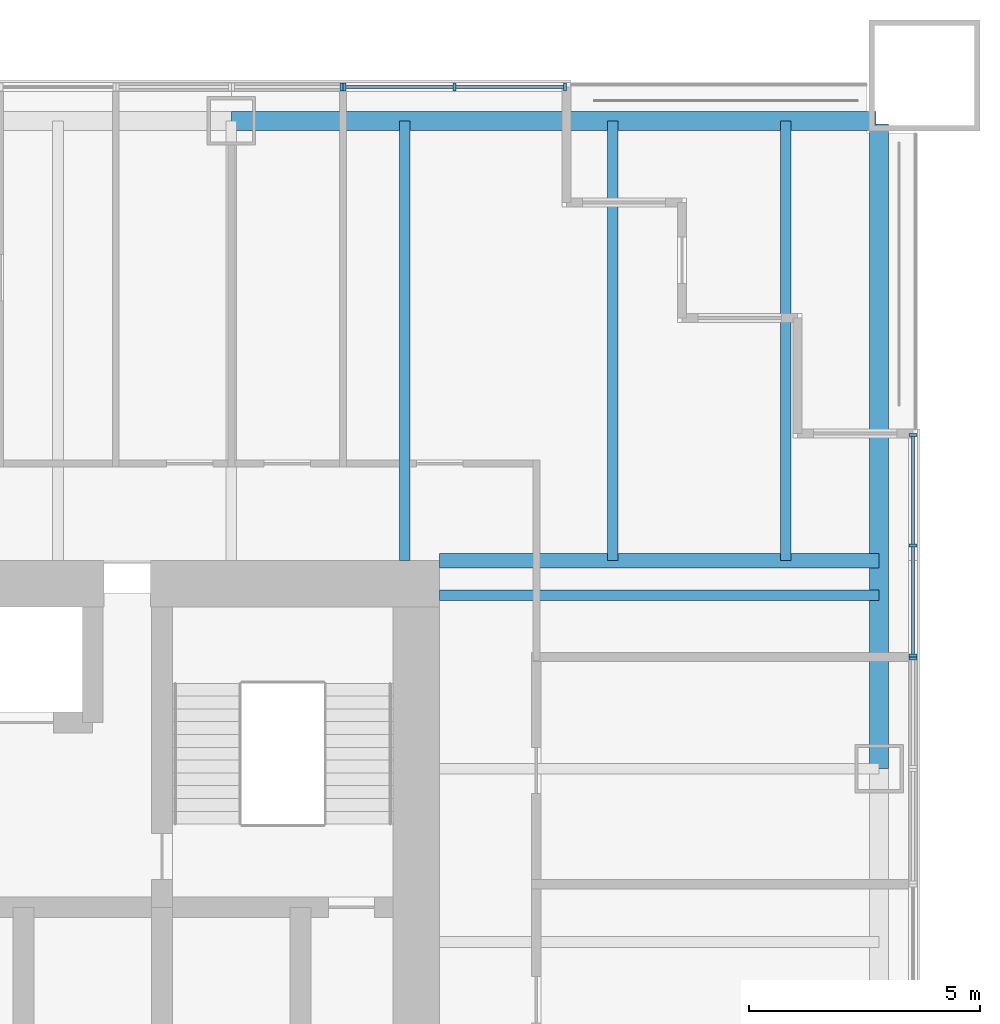
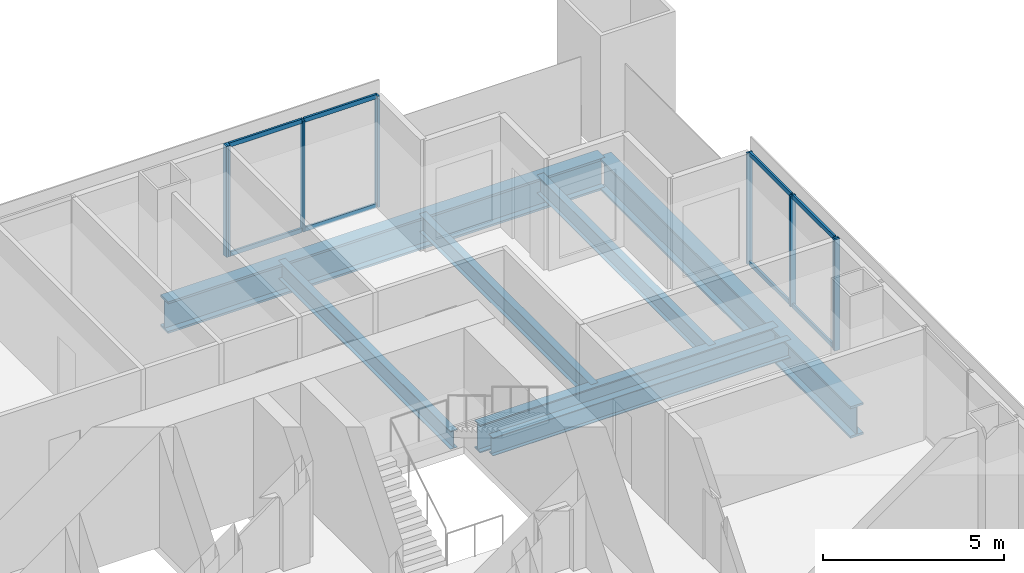
# One storey, part 6 of 14: 16 members, 7 beams, 4 elements without a shape of their own.
"""IFC4 building model written with IfcOpenShell, lengths in metres."""

from ifc_helpers import new_model, si_unit, direction, frame, origin, origin_2d, place, context, subcontext, project, spatial, rectangle, i_section, extrude, material, material_profile, profile_set, type_object, element, aggregate, save


model = new_model("IFC4")

# Units and contexts
model_context = context("Model", 3, precision=1e-05, world=origin(), true_north=direction((0.0, 1.0)))
body_context = subcontext(model_context, "Body", "Model", "MODEL_VIEW")
ifc_project = project(units=[si_unit("LENGTHUNIT", "METRE"), si_unit("AREAUNIT", "SQUARE_METRE"), si_unit("VOLUMEUNIT", "CUBIC_METRE"), si_unit("PLANEANGLEUNIT", "RADIAN"), si_unit("MASSUNIT", "GRAM", prefix="KILO")], contexts=[model_context])

# Site, building, storey
site_placement = place(None, origin())
site = spatial("IfcSite", under=ifc_project, at=site_placement, CompositionType="ELEMENT")
building_placement = place(site_placement, origin())
building = spatial("IfcBuilding", under=site, at=building_placement, Name="Tarangal Relay Tower", CompositionType="ELEMENT")
storey_placement = place(building_placement, frame((0.0, 0.0, 249.89990234375)))
storey = spatial("IfcBuildingStorey", under=building, at=storey_placement, Name="L54", CompositionType="ELEMENT", Elevation=249.89990234375)

# Beams
ifc_material_1 = material(Name="Steel ASTM A992", Category="steel")
ifc_material_profile_1 = material_profile(ifc_material_1, i_section(OverallWidth=0.227783203125, OverallDepth=0.60205078125, WebThickness=0.010498046875, FlangeThickness=0.014892578125, at=origin_2d()), Name="W24X68")
ifc_profile_set_1 = profile_set([ifc_material_profile_1], Name="Steel ASTM A992")
beam_type_1 = type_object("IfcBeamType", Name="Corner beam W24X68", PredefinedType="JOIST", material=ifc_profile_set_1)
for number, where, z_axis, x_axis, name in (
    (1, (15.75, 12.0, -0.450927734375), (0.0, 1.0, 0.0), (-1.0, 0.0, 0.0), "Corner beam CB11 N L54"),
    (2, (19.5, 12.0, -0.450927734375), (0.0, 1.0, 0.0), (-1.0, 0.0, 0.0), "Corner beam CB11 N L54"),
):
    element("IfcBeam", number, at=place(storey_placement, frame(where, z_axis=z_axis, x_axis=x_axis)), inside=storey, type_object=beam_type_1, Name=name, PredefinedType="JOIST", context=body_context, shape_type="SweptSolid", body=[
        extrude(i_section(OverallWidth=0.227783203125, OverallDepth=0.60205078125, WebThickness=0.010498046875, FlangeThickness=0.014892578125, at=origin_2d()), origin(), (0.0, 0.0, 1.0), 9.514892578125),
    ])
ifc_material_profile_2 = material_profile(ifc_material_1, i_section(OverallWidth=0.307373046875, OverallDepth=0.9423828125, WebThickness=0.022216796875, FlangeThickness=0.039794921875, at=origin_2d()), Name="W36X232")
ifc_profile_set_2 = profile_set([ifc_material_profile_2], Name="Steel ASTM A992")
beam_type_2 = type_object("IfcBeamType", Name="Corner girder W36X232", PredefinedType="BEAM", material=ifc_profile_set_2)
beam_placement = place(storey_placement, frame((12.0, 12.0, -0.62109375), z_axis=(1.0, 0.0, 0.0), x_axis=(0.0, 1.0, 0.0)))
element("IfcBeam", 3, at=beam_placement, inside=storey, type_object=beam_type_2, Name="Corner girder CG4 N L54", PredefinedType="BEAM", context=body_context, shape_type="SweptSolid", body=[
    extrude(i_section(OverallWidth=0.307373046875, OverallDepth=0.9423828125, WebThickness=0.022216796875, FlangeThickness=0.039794921875, at=origin_2d()), origin(), (0.0, 0.0, 1.0), 9.514892578125),
])
ifc_material_profile_3 = material_profile(ifc_material_1, i_section(OverallWidth=0.41650390625, OverallDepth=1.0693359375, WebThickness=0.0390625, FlangeThickness=0.070068359375, at=origin_2d()), Name="W40X503")
ifc_profile_set_3 = profile_set([ifc_material_profile_3], Name="Steel ASTM A992")
beam_type_3 = type_object("IfcBeamType", Name="Edge girder W40X503", PredefinedType="SPANDREL", material=ifc_profile_set_3)
for number, where, z_axis, x_axis, name in (
    (4, (7.5, 21.514892578125, -0.6845703125), (1.0, 0.0, 0.0), (0.0, 1.0, 0.0), "Edge girder EG8 N L54"),
    (5, (21.514892578125, 21.449951171875, -0.6845703125), (0.0, -1.0, 0.0), (1.0, 0.0, 0.0), "Edge girder EG8 E L54"),
):
    element("IfcBeam", number, at=place(storey_placement, frame(where, z_axis=z_axis, x_axis=x_axis)), inside=storey, type_object=beam_type_3, Name=name, PredefinedType="SPANDREL", context=body_context, shape_type="SweptSolid", body=[
        extrude(i_section(OverallWidth=0.41650390625, OverallDepth=1.0693359375, WebThickness=0.0390625, FlangeThickness=0.070068359375, at=origin_2d()), origin(), (0.0, 0.0, 1.0), 13.949951171875),
    ])
ifc_material_profile_4 = material_profile(ifc_material_1, i_section(OverallWidth=0.22900390625, OverallDepth=0.612060546875, WebThickness=0.011962890625, FlangeThickness=0.01953125, at=origin_2d()), Name="W24X84")
ifc_profile_set_4 = profile_set([ifc_material_profile_4], Name="Steel ASTM A992")
beam_type_4 = type_object("IfcBeamType", Name="Floor beam W24X84", PredefinedType="BEAM", material=ifc_profile_set_4)
for number, where, z_axis, x_axis, name in (
    (6, (11.25, 12.0, -0.455810546875), (0.0, 1.0, 0.0), (-1.0, 0.0, 0.0), "Floor beam RB12 N L54"),
    (7, (12.0, 11.25, -0.455810546875), (1.0, 0.0, 0.0), (0.0, 1.0, 0.0), "Floor beam RB12 E L54"),
):
    element("IfcBeam", number, at=place(storey_placement, frame(where, z_axis=z_axis, x_axis=x_axis)), inside=storey, type_object=beam_type_4, Name=name, PredefinedType="BEAM", context=body_context, shape_type="SweptSolid", body=[
        extrude(i_section(OverallWidth=0.22900390625, OverallDepth=0.612060546875, WebThickness=0.011962890625, FlangeThickness=0.01953125, at=origin_2d()), origin(), (0.0, 0.0, 1.0), 9.514892578125),
    ])

# Curtain wall, members
ifc_material_2 = material(Name="Unitised curtain wall, dark glass and black aluminium", Category="aluminium")
curtain_wall_type_1 = type_object("IfcCurtainWallType", Name="Curtain wall CW-A", PredefinedType="USERDEFINED", material=ifc_material_2)
curtain_wall_1_placement = place(storey_placement, origin())
curtain_wall_1 = element("IfcCurtainWall", 8, at=curtain_wall_1_placement, inside=storey, type_object=curtain_wall_type_1, Name="Curtain wall CW-A N facade L54", ObjectType="UNITISED CURTAIN WALL", PredefinedType="USERDEFINED")
ifc_material_3 = material(Name="Black anodised aluminium mullion", Category="aluminium")
ifc_material_profile_5 = material_profile(ifc_material_3, rectangle(XDim=0.175048828125, YDim=0.06494140625, at=origin_2d()), Name="CW-AM 65X175")
ifc_profile_set_5 = profile_set([ifc_material_profile_5], Name="Black anodised aluminium mullion")
member_type_1 = type_object("IfcMemberType", Name="Mullion CW-A 65 x 175", PredefinedType="MULLION", material=ifc_profile_set_5)
member_1_placement = place(storey_placement, frame((9.94921875, 22.25, 0.0), z_axis=(0.0, 0.0, 1.0), x_axis=(0.0, 1.0, 0.0)))
member_1 = element("IfcMember", 9, at=member_1_placement, type_object=member_type_1, Name="CW-A mullion 1", PredefinedType="MULLION", context=body_context, shape_type="SweptSolid", body=[
    extrude(rectangle(XDim=0.175048828125, YDim=0.06494140625, at=origin_2d()), origin(), (0.0, 0.0, 1.0), 3.75),
])
member_2_placement = place(storey_placement, frame((12.333251953125, 22.25, 0.0), z_axis=(0.0, 0.0, 1.0), x_axis=(0.0, 1.0, 0.0)))
member_2 = element("IfcMember", 10, at=member_2_placement, type_object=member_type_1, Name="CW-A mullion 2", PredefinedType="MULLION", context=body_context, shape_type="SweptSolid", body=[
    extrude(rectangle(XDim=0.175048828125, YDim=0.06494140625, at=origin_2d()), origin(), (0.0, 0.0, 1.0), 3.75),
])
member_3_placement = place(storey_placement, frame((14.717529296875, 22.25, 0.0), z_axis=(0.0, 0.0, 1.0), x_axis=(0.0, 1.0, 0.0)))
member_3 = element("IfcMember", 11, at=member_3_placement, type_object=member_type_1, Name="CW-A mullion 3", PredefinedType="MULLION", context=body_context, shape_type="SweptSolid", body=[
    extrude(rectangle(XDim=0.175048828125, YDim=0.06494140625, at=origin_2d()), origin(), (0.0, 0.0, 1.0), 3.75),
])

curtain_wall_2_placement = place(storey_placement, origin())
curtain_wall_2 = element("IfcCurtainWall", 12, at=curtain_wall_2_placement, inside=storey, type_object=curtain_wall_type_1, Name="Curtain wall CW-A E facade L54", ObjectType="UNITISED CURTAIN WALL", PredefinedType="USERDEFINED")
member_4_placement = place(storey_placement, frame((22.25, 14.717529296875, 0.0), z_axis=(0.0, 0.0, 1.0), x_axis=(1.0, 0.0, 0.0)))
member_4 = element("IfcMember", 13, at=member_4_placement, type_object=member_type_1, Name="CW-A mullion 1", PredefinedType="MULLION", context=body_context, shape_type="SweptSolid", body=[
    extrude(rectangle(XDim=0.175048828125, YDim=0.06494140625, at=origin_2d()), origin(), (0.0, 0.0, 1.0), 3.75),
])
member_5_placement = place(storey_placement, frame((22.25, 12.333251953125, 0.0), z_axis=(0.0, 0.0, 1.0), x_axis=(1.0, 0.0, 0.0)))
member_5 = element("IfcMember", 14, at=member_5_placement, type_object=member_type_1, Name="CW-A mullion 2", PredefinedType="MULLION", context=body_context, shape_type="SweptSolid", body=[
    extrude(rectangle(XDim=0.175048828125, YDim=0.06494140625, at=origin_2d()), origin(), (0.0, 0.0, 1.0), 3.75),
])
member_6_placement = place(storey_placement, frame((22.25, 9.94921875, 0.0), z_axis=(0.0, 0.0, 1.0), x_axis=(1.0, 0.0, 0.0)))
member_6 = element("IfcMember", 15, at=member_6_placement, type_object=member_type_1, Name="CW-A mullion 3", PredefinedType="MULLION", context=body_context, shape_type="SweptSolid", body=[
    extrude(rectangle(XDim=0.175048828125, YDim=0.06494140625, at=origin_2d()), origin(), (0.0, 0.0, 1.0), 3.75),
])

# Curtain wall, member
ifc_material_4 = material(Name="Unitised curtain wall frame, black aluminium, with metal clad infill walls", Category="aluminium")
curtain_wall_type_2 = type_object("IfcCurtainWallType", Name="Curtain wall CW-AO", PredefinedType="USERDEFINED", material=ifc_material_4)
curtain_wall_3_placement = place(storey_placement, origin())
curtain_wall_3 = element("IfcCurtainWall", 16, at=curtain_wall_3_placement, inside=storey, type_object=curtain_wall_type_2, Name="Curtain wall CW-AO N facade L54", ObjectType="UNITISED CURTAIN WALL", PredefinedType="USERDEFINED")
ifc_material_profile_6 = material_profile(ifc_material_3, rectangle(XDim=0.175048828125, YDim=0.06494140625, at=origin_2d()), Name="CW-AOM 65X175")
ifc_profile_set_6 = profile_set([ifc_material_profile_6], Name="Black anodised aluminium mullion")
member_type_2 = type_object("IfcMemberType", Name="Mullion CW-AO 65 x 175", PredefinedType="MULLION", material=ifc_profile_set_6)
member_7_placement = place(storey_placement, frame((9.88427734375, 22.25, 0.0), z_axis=(0.0, 0.0, 1.0), x_axis=(0.0, 1.0, 0.0)))
member_7 = element("IfcMember", 17, at=member_7_placement, type_object=member_type_2, Name="CW-AO mullion 2", PredefinedType="MULLION", context=body_context, shape_type="SweptSolid", body=[
    extrude(rectangle(XDim=0.175048828125, YDim=0.06494140625, at=origin_2d()), origin(), (0.0, 0.0, 1.0), 3.75),
])
aggregate(curtain_wall_3, [member_7])

curtain_wall_4_placement = place(storey_placement, origin())
curtain_wall_4 = element("IfcCurtainWall", 18, at=curtain_wall_4_placement, inside=storey, type_object=curtain_wall_type_2, Name="Curtain wall CW-AO E facade L54", ObjectType="UNITISED CURTAIN WALL", PredefinedType="USERDEFINED")
member_8_placement = place(storey_placement, frame((22.25, 9.88427734375, 0.0), z_axis=(0.0, 0.0, 1.0), x_axis=(1.0, 0.0, 0.0)))
member_8 = element("IfcMember", 19, at=member_8_placement, type_object=member_type_2, Name="CW-AO mullion 1", PredefinedType="MULLION", context=body_context, shape_type="SweptSolid", body=[
    extrude(rectangle(XDim=0.175048828125, YDim=0.06494140625, at=origin_2d()), origin(), (0.0, 0.0, 1.0), 3.75),
])
aggregate(curtain_wall_4, [member_8])

# Member
ifc_material_5 = material(Name="Black anodised aluminium transom", Category="aluminium")
ifc_material_profile_7 = material_profile(ifc_material_5, rectangle(XDim=0.06494140625, YDim=0.14990234375, at=origin_2d()), Name="CW-AT 65X150")
ifc_profile_set_7 = profile_set([ifc_material_profile_7], Name="Black anodised aluminium transom")
member_type_3 = type_object("IfcMemberType", Name="Transom CW-A 65 x 150", PredefinedType="USERDEFINED", material=ifc_profile_set_7)
member_9_placement = place(storey_placement, frame((9.981689453125, 22.25, 0.03271484375), z_axis=(1.0, 0.0, 0.0), x_axis=(0.0, 1.0, 0.0)))
member_9 = element("IfcMember", 20, at=member_9_placement, type_object=member_type_3, Name="CW-A transom 1.1", ObjectType="TRANSOM", PredefinedType="USERDEFINED", context=body_context, shape_type="SweptSolid", body=[
    extrude(rectangle(XDim=0.06494140625, YDim=0.14990234375, at=origin_2d()), origin(), (0.0, 0.0, 1.0), 2.319091796875),
])

member_10_placement = place(storey_placement, frame((9.981689453125, 22.25, 3.717529296875), z_axis=(1.0, 0.0, 0.0), x_axis=(0.0, 1.0, 0.0)))
member_10 = element("IfcMember", 21, at=member_10_placement, type_object=member_type_3, Name="CW-A transom 1.2", ObjectType="TRANSOM", PredefinedType="USERDEFINED", context=body_context, shape_type="SweptSolid", body=[
    extrude(rectangle(XDim=0.06494140625, YDim=0.14990234375, at=origin_2d()), origin(), (0.0, 0.0, 1.0), 2.319091796875),
])

member_11_placement = place(storey_placement, frame((12.365966796875, 22.25, 0.03271484375), z_axis=(1.0, 0.0, 0.0), x_axis=(0.0, 1.0, 0.0)))
member_11 = element("IfcMember", 22, at=member_11_placement, type_object=member_type_3, Name="CW-A transom 2.1", ObjectType="TRANSOM", PredefinedType="USERDEFINED", context=body_context, shape_type="SweptSolid", body=[
    extrude(rectangle(XDim=0.06494140625, YDim=0.14990234375, at=origin_2d()), origin(), (0.0, 0.0, 1.0), 2.319091796875),
])

member_12_placement = place(storey_placement, frame((12.365966796875, 22.25, 3.717529296875), z_axis=(1.0, 0.0, 0.0), x_axis=(0.0, 1.0, 0.0)))
member_12 = element("IfcMember", 23, at=member_12_placement, type_object=member_type_3, Name="CW-A transom 2.2", ObjectType="TRANSOM", PredefinedType="USERDEFINED", context=body_context, shape_type="SweptSolid", body=[
    extrude(rectangle(XDim=0.06494140625, YDim=0.14990234375, at=origin_2d()), origin(), (0.0, 0.0, 1.0), 2.319091796875),
])

aggregate(curtain_wall_1, [member_1, member_2, member_3, member_9, member_10, member_11, member_12])

member_13_placement = place(storey_placement, frame((22.25, 14.68505859375, 0.03271484375), z_axis=(0.0, -1.0, 0.0), x_axis=(1.0, 0.0, 0.0)))
member_13 = element("IfcMember", 24, at=member_13_placement, type_object=member_type_3, Name="CW-A transom 1.1", ObjectType="TRANSOM", PredefinedType="USERDEFINED", context=body_context, shape_type="SweptSolid", body=[
    extrude(rectangle(XDim=0.06494140625, YDim=0.14990234375, at=origin_2d()), origin(), (0.0, 0.0, 1.0), 2.319091796875),
])

member_14_placement = place(storey_placement, frame((22.25, 14.68505859375, 3.717529296875), z_axis=(0.0, -1.0, 0.0), x_axis=(1.0, 0.0, 0.0)))
member_14 = element("IfcMember", 25, at=member_14_placement, type_object=member_type_3, Name="CW-A transom 1.2", ObjectType="TRANSOM", PredefinedType="USERDEFINED", context=body_context, shape_type="SweptSolid", body=[
    extrude(rectangle(XDim=0.06494140625, YDim=0.14990234375, at=origin_2d()), origin(), (0.0, 0.0, 1.0), 2.319091796875),
])

member_15_placement = place(storey_placement, frame((22.25, 12.30078125, 0.03271484375), z_axis=(0.0, -1.0, 0.0), x_axis=(1.0, 0.0, 0.0)))
member_15 = element("IfcMember", 26, at=member_15_placement, type_object=member_type_3, Name="CW-A transom 2.1", ObjectType="TRANSOM", PredefinedType="USERDEFINED", context=body_context, shape_type="SweptSolid", body=[
    extrude(rectangle(XDim=0.06494140625, YDim=0.14990234375, at=origin_2d()), origin(), (0.0, 0.0, 1.0), 2.319091796875),
])

member_16_placement = place(storey_placement, frame((22.25, 12.30078125, 3.717529296875), z_axis=(0.0, -1.0, 0.0), x_axis=(1.0, 0.0, 0.0)))
member_16 = element("IfcMember", 27, at=member_16_placement, type_object=member_type_3, Name="CW-A transom 2.2", ObjectType="TRANSOM", PredefinedType="USERDEFINED", context=body_context, shape_type="SweptSolid", body=[
    extrude(rectangle(XDim=0.06494140625, YDim=0.14990234375, at=origin_2d()), origin(), (0.0, 0.0, 1.0), 2.319091796875),
])

aggregate(curtain_wall_2, [member_4, member_5, member_6, member_13, member_14, member_15, member_16])

save(model, "model.ifc")
